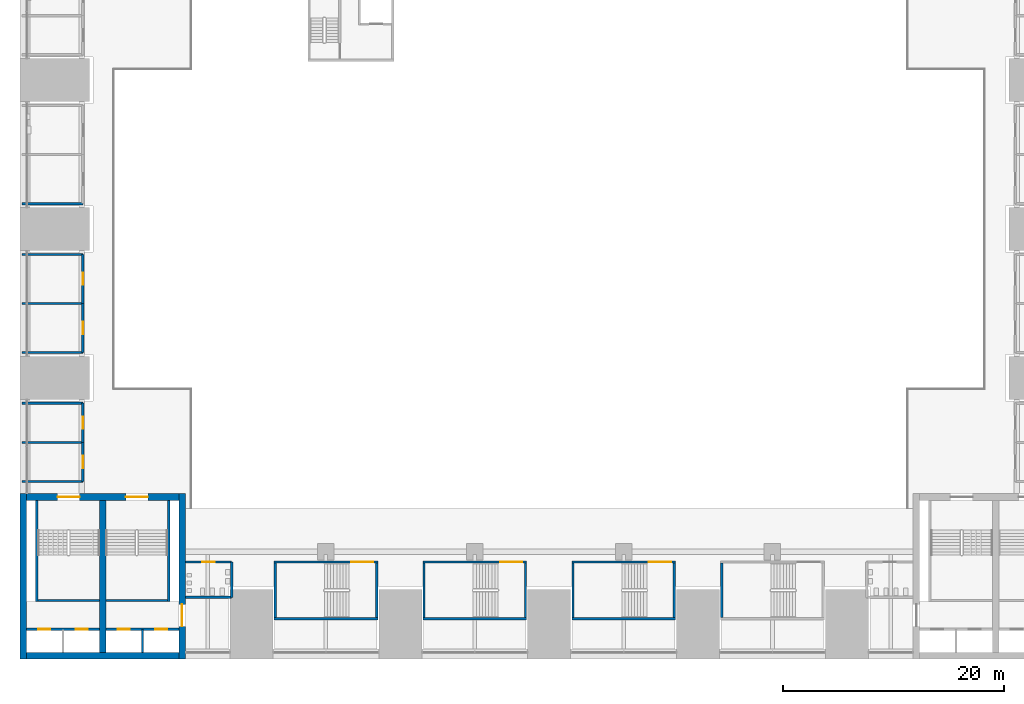
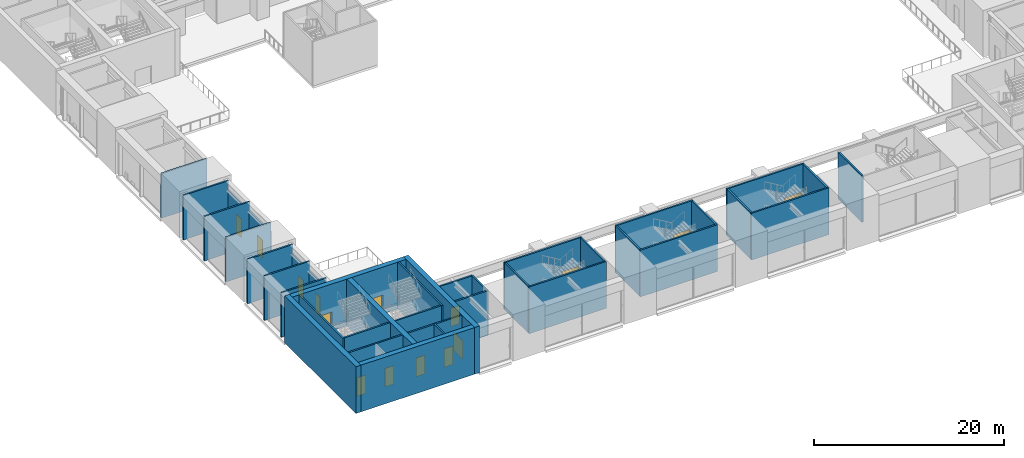
# One storey, part 13 of 41: 39 walls, 15 doors, 15 openings.
"""IFC4 building model written with IfcOpenShell, lengths in metres."""

from ifc_helpers import new_model, si_unit, direction, frame, frame_2d, origin, place, context, subcontext, project, spatial, rectangle, extrude, material, layer, layer_set, type_object, element, fill, save


model = new_model("IFC4")

# Units and contexts
model_context = context("Model", 3, precision=1e-05, world=origin(), true_north=direction((0.0, 1.0)))
body_context = subcontext(model_context, "Body", "Model", "MODEL_VIEW")
ifc_project = project(units=[si_unit("LENGTHUNIT", "METRE"), si_unit("AREAUNIT", "SQUARE_METRE"), si_unit("VOLUMEUNIT", "CUBIC_METRE"), si_unit("PLANEANGLEUNIT", "RADIAN"), si_unit("MASSUNIT", "GRAM", prefix="KILO")], contexts=[model_context])

# Site, building, storey
site_placement = place(None, origin())
site = spatial("IfcSite", under=ifc_project, at=site_placement, CompositionType="ELEMENT")
building_placement = place(site_placement, origin())
building = spatial("IfcBuilding", under=site, at=building_placement, Name="Corbelhall Arena Tower", CompositionType="ELEMENT")
storey_placement = place(building_placement, frame((0.0, 0.0, 19.0)))
storey = spatial("IfcBuildingStorey", under=building, at=storey_placement, Name="L02", CompositionType="ELEMENT", Elevation=19.0)

# Walls
ifc_material_1 = material(Name="Gypsum board on steel studs", Category="steel")
ifc_layer_1 = layer(ifc_material_1, 0.199951171875)
ifc_layer_set_1 = layer_set([ifc_layer_1], Name="AR-ROOM-WALL")
wall_type_1 = type_object("IfcWallType", Name="AR-ROOM-WALL", PredefinedType="PARTITIONING", material=ifc_layer_set_1)
for number, where, z_axis, x_axis, name in (
    (1, (-42.300048828125, 2.300048828125, 0.0), (0.0, 0.0, 1.0), (-1.0, 0.0, 0.0), "Concession bar 7 end wall"),
    (2, (-42.300048828125, -11.199951171875, 0.0), (0.0, 0.0, 1.0), (-1.0, 0.0, 0.0), "Concession bar 8 end wall"),
    (3, (-47.800048828125, -6.75, 0.0), (0.0, 0.0, 1.0), (1.0, 0.0, 0.0), "Concession bar 8 partition"),
    (4, (-42.300048828125, -2.300048828125, 0.0), (0.0, 0.0, 1.0), (-1.0, 0.0, 0.0), "Concession bar 9 end wall"),
    (5, (-42.300048828125, -22.89990234375, 0.0), (0.0, 0.0, 1.0), (-1.0, 0.0, 0.0), "Concession bar 11 end wall"),
    (6, (-47.800048828125, -19.35009765625, 0.0), (0.0, 0.0, 1.0), (1.0, 0.0, 0.0), "Concession bar 11 partition"),
    (7, (-42.300048828125, -15.800048828125, 0.0), (0.0, 0.0, 1.0), (-1.0, 0.0, 0.0), "Concession bar 12 end wall"),
):
    element("IfcWall", number, at=place(storey_placement, frame(where, z_axis=z_axis, x_axis=x_axis)), inside=storey, type_object=wall_type_1, Name=name, PredefinedType="PARTITIONING", context=body_context, shape_type="SweptSolid", body=[
        extrude(rectangle(XDim=5.5, YDim=0.199951171875, at=frame_2d((2.75, 0.0))), origin(), (0.0, 0.0, 1.0), 5.699951171875),
    ])

# Wall, opening, door
wall_1_placement = place(storey_placement, frame((-33.0, -30.199951171875, 0.0), z_axis=(0.0, 0.0, 1.0), x_axis=(1.0, 0.0, 0.0)))
wall_1 = element("IfcWall", 8, at=wall_1_placement, inside=storey, type_object=wall_type_1, Name="Men's WC 4 wall", PredefinedType="PARTITIONING", context=body_context, shape_type="SweptSolid", body=[
    extrude(rectangle(XDim=4.199951171875, YDim=0.199951171875, at=frame_2d((2.10009765625, 0.0))), origin(), (0.0, 0.0, 1.0), 5.699951171875),
])
opening_1_placement = place(wall_1_placement, frame((1.550048828125, 0.0, 0.0)))
opening_1 = element("IfcOpeningElement", 9, at=opening_1_placement, cuts=wall_1, Name="Opening DA0382", PredefinedType="OPENING", context=body_context, shape_type="SweptSolid", body=[
    extrude(rectangle(XDim=1.10009765625, YDim=2.39990234375, at=frame_2d((0.550048828125, 1.199951171875))), frame((0.0, 0.10009765625, 0.0), z_axis=(0.0, -1.0, 0.0), x_axis=(1.0, 0.0, 0.0)), (0.0, 0.0, 1.0), 0.199951171875),
])
ifc_material_2 = material(Name="Timber", Category="wood")
door_type_1 = type_object("IfcDoorType", Name="AR-ROOM-DOOR", OperationType="DOUBLE_DOOR_SINGLE_SWING", PredefinedType="DOOR", material=ifc_material_2)
door_1_placement = place(opening_1_placement, origin())
door_1 = element("IfcDoor", 10, at=door_1_placement, inside=storey, type_object=door_type_1, Name="Men's WC 4 door", OperationType="DOUBLE_DOOR_SINGLE_SWING", OverallHeight=2.39990234375, OverallWidth=1.10009765625, PredefinedType="DOOR", context=body_context, shape_type="SweptSolid", body=[
    extrude(rectangle(XDim=1.10009765625, YDim=2.39990234375, at=frame_2d((0.550048828125, 1.199951171875))), frame((0.0, 0.02490234375, 0.0), z_axis=(0.0, -1.0, 0.0), x_axis=(1.0, 0.0, 0.0)), (0.0, 0.0, 1.0), 0.050048828125),
])
fill(opening_1, door_1)

# Walls
wall_2_placement = place(storey_placement, frame((-28.800048828125, -33.39990234375, 0.0), z_axis=(0.0, 0.0, 1.0), x_axis=(0.0, 1.0, 0.0)))
element("IfcWall", 11, at=wall_2_placement, inside=storey, type_object=wall_type_1, Name="Men's WC 4 side wall", PredefinedType="PARTITIONING", context=body_context, shape_type="SweptSolid", body=[
    extrude(rectangle(XDim=3.199951171875, YDim=0.199951171875, at=frame_2d((1.60009765625, 0.0))), origin(), (0.0, 0.0, 1.0), 5.699951171875),
])
wall_3_placement = place(storey_placement, frame((-33.0, -33.39990234375, 0.0), z_axis=(0.0, 0.0, 1.0), x_axis=(1.0, 0.0, 0.0)))
element("IfcWall", 12, at=wall_3_placement, inside=storey, type_object=wall_type_1, Name="Men's WC 4 far wall", PredefinedType="PARTITIONING", context=body_context, shape_type="SweptSolid", body=[
    extrude(rectangle(XDim=4.199951171875, YDim=0.199951171875, at=frame_2d((2.10009765625, 0.0))), origin(), (0.0, 0.0, 1.0), 5.699951171875),
])

# Wall, opening, door
ifc_layer_2 = layer(ifc_material_1, 0.199951171875)
ifc_layer_set_2 = layer_set([ifc_layer_2], Name="AR-ROOM-WALL under beam 1200 mm")
wall_type_2 = type_object("IfcWallType", Name="AR-ROOM-WALL under beam 1200 mm", PredefinedType="PARTITIONING", material=ifc_layer_set_2)
wall_4_placement = place(storey_placement, frame((-42.300048828125, -11.199951171875, 0.0), z_axis=(0.0, 0.0, 1.0), x_axis=(0.0, 1.0, 0.0)))
wall_4 = element("IfcWall", 13, at=wall_4_placement, inside=storey, type_object=wall_type_2, Name="Concession bar 8 wall", PredefinedType="PARTITIONING", context=body_context, shape_type="SweptSolid", body=[
    extrude(rectangle(XDim=4.449951171875, YDim=0.199951171875, at=frame_2d((2.22509765625, 0.0))), origin(), (0.0, 0.0, 1.0), 4.5),
])
opening_2_placement = place(wall_4_placement, frame((1.675048828125, 0.0, 0.0)))
opening_2 = element("IfcOpeningElement", 14, at=opening_2_placement, cuts=wall_4, Name="Opening DA0373", PredefinedType="OPENING", context=body_context, shape_type="SweptSolid", body=[
    extrude(rectangle(XDim=1.10009765625, YDim=2.39990234375, at=frame_2d((0.550048828125, 1.199951171875))), frame((0.0, 0.10009765625, 0.0), z_axis=(0.0, -1.0, 0.0), x_axis=(1.0, 0.0, 0.0)), (0.0, 0.0, 1.0), 0.199951171875),
])
door_2_placement = place(opening_2_placement, origin())
door_2 = element("IfcDoor", 15, at=door_2_placement, inside=storey, type_object=door_type_1, Name="Concession bar 8 door", OperationType="DOUBLE_DOOR_SINGLE_SWING", OverallHeight=2.39990234375, OverallWidth=1.10009765625, PredefinedType="DOOR", context=body_context, shape_type="SweptSolid", body=[
    extrude(rectangle(XDim=1.10009765625, YDim=2.39990234375, at=frame_2d((0.550048828125, 1.199951171875))), frame((0.0, 0.02490234375, 0.0), z_axis=(0.0, -1.0, 0.0), x_axis=(1.0, 0.0, 0.0)), (0.0, 0.0, 1.0), 0.050048828125),
])
fill(opening_2, door_2)

wall_5_placement = place(storey_placement, frame((-42.300048828125, -6.75, 0.0), z_axis=(0.0, 0.0, 1.0), x_axis=(0.0, 1.0, 0.0)))
wall_5 = element("IfcWall", 16, at=wall_5_placement, inside=storey, type_object=wall_type_2, Name="Concession bar 9 wall", PredefinedType="PARTITIONING", context=body_context, shape_type="SweptSolid", body=[
    extrude(rectangle(XDim=4.449951171875, YDim=0.199951171875, at=frame_2d((2.22509765625, 0.0))), origin(), (0.0, 0.0, 1.0), 4.5),
])
opening_3_placement = place(wall_5_placement, frame((1.675048828125, 0.0, 0.0)))
opening_3 = element("IfcOpeningElement", 17, at=opening_3_placement, cuts=wall_5, Name="Opening DA0374", PredefinedType="OPENING", context=body_context, shape_type="SweptSolid", body=[
    extrude(rectangle(XDim=1.10009765625, YDim=2.39990234375, at=frame_2d((0.550048828125, 1.199951171875))), frame((0.0, 0.10009765625, 0.0), z_axis=(0.0, -1.0, 0.0), x_axis=(1.0, 0.0, 0.0)), (0.0, 0.0, 1.0), 0.199951171875),
])
door_3_placement = place(opening_3_placement, origin())
door_3 = element("IfcDoor", 18, at=door_3_placement, inside=storey, type_object=door_type_1, Name="Concession bar 9 door", OperationType="DOUBLE_DOOR_SINGLE_SWING", OverallHeight=2.39990234375, OverallWidth=1.10009765625, PredefinedType="DOOR", context=body_context, shape_type="SweptSolid", body=[
    extrude(rectangle(XDim=1.10009765625, YDim=2.39990234375, at=frame_2d((0.550048828125, 1.199951171875))), frame((0.0, 0.02490234375, 0.0), z_axis=(0.0, -1.0, 0.0), x_axis=(1.0, 0.0, 0.0)), (0.0, 0.0, 1.0), 0.050048828125),
])
fill(opening_3, door_3)

wall_6_placement = place(storey_placement, frame((-42.300048828125, -22.89990234375, 0.0), z_axis=(0.0, 0.0, 1.0), x_axis=(0.0, 1.0, 0.0)))
wall_6 = element("IfcWall", 19, at=wall_6_placement, inside=storey, type_object=wall_type_2, Name="Concession bar 11 wall", PredefinedType="PARTITIONING", context=body_context, shape_type="SweptSolid", body=[
    extrude(rectangle(XDim=3.5498046875, YDim=0.199951171875, at=frame_2d((1.77490234375, 0.0))), origin(), (0.0, 0.0, 1.0), 4.5),
])
opening_4_placement = place(wall_6_placement, frame((1.22509765625, 0.0, 0.0)))
opening_4 = element("IfcOpeningElement", 20, at=opening_4_placement, cuts=wall_6, Name="Opening DA0377", PredefinedType="OPENING", context=body_context, shape_type="SweptSolid", body=[
    extrude(rectangle(XDim=1.10009765625, YDim=2.39990234375, at=frame_2d((0.550048828125, 1.199951171875))), frame((0.0, 0.10009765625, 0.0), z_axis=(0.0, -1.0, 0.0), x_axis=(1.0, 0.0, 0.0)), (0.0, 0.0, 1.0), 0.199951171875),
])
door_4_placement = place(opening_4_placement, origin())
door_4 = element("IfcDoor", 21, at=door_4_placement, inside=storey, type_object=door_type_1, Name="Concession bar 11 door", OperationType="DOUBLE_DOOR_SINGLE_SWING", OverallHeight=2.39990234375, OverallWidth=1.10009765625, PredefinedType="DOOR", context=body_context, shape_type="SweptSolid", body=[
    extrude(rectangle(XDim=1.10009765625, YDim=2.39990234375, at=frame_2d((0.550048828125, 1.199951171875))), frame((0.0, 0.02490234375, 0.0), z_axis=(0.0, -1.0, 0.0), x_axis=(1.0, 0.0, 0.0)), (0.0, 0.0, 1.0), 0.050048828125),
])
fill(opening_4, door_4)

wall_7_placement = place(storey_placement, frame((-42.300048828125, -19.35009765625, 0.0), z_axis=(0.0, 0.0, 1.0), x_axis=(0.0, 1.0, 0.0)))
wall_7 = element("IfcWall", 22, at=wall_7_placement, inside=storey, type_object=wall_type_2, Name="Concession bar 12 wall", PredefinedType="PARTITIONING", context=body_context, shape_type="SweptSolid", body=[
    extrude(rectangle(XDim=3.550048828125, YDim=0.199951171875, at=frame_2d((1.77490234375, 0.0))), origin(), (0.0, 0.0, 1.0), 4.5),
])
opening_5_placement = place(wall_7_placement, frame((1.22509765625, 0.0, 0.0)))
opening_5 = element("IfcOpeningElement", 23, at=opening_5_placement, cuts=wall_7, Name="Opening DA0378", PredefinedType="OPENING", context=body_context, shape_type="SweptSolid", body=[
    extrude(rectangle(XDim=1.10009765625, YDim=2.39990234375, at=frame_2d((0.550048828125, 1.199951171875))), frame((0.0, 0.10009765625, 0.0), z_axis=(0.0, -1.0, 0.0), x_axis=(1.0, 0.0, 0.0)), (0.0, 0.0, 1.0), 0.199951171875),
])
door_5_placement = place(opening_5_placement, origin())
door_5 = element("IfcDoor", 24, at=door_5_placement, inside=storey, type_object=door_type_1, Name="Concession bar 12 door", OperationType="DOUBLE_DOOR_SINGLE_SWING", OverallHeight=2.39990234375, OverallWidth=1.10009765625, PredefinedType="DOOR", context=body_context, shape_type="SweptSolid", body=[
    extrude(rectangle(XDim=1.10009765625, YDim=2.39990234375, at=frame_2d((0.550048828125, 1.199951171875))), frame((0.0, 0.02490234375, 0.0), z_axis=(0.0, -1.0, 0.0), x_axis=(1.0, 0.0, 0.0)), (0.0, 0.0, 1.0), 0.050048828125),
])
fill(opening_5, door_5)

# Wall, openings, doors
ifc_material_3 = material(Name="Reinforced concrete C40/50", Category="concrete")
ifc_layer_3 = layer(ifc_material_3, 0.199951171875)
ifc_layer_set_3 = layer_set([ifc_layer_3], Name="AR-SHAFT-WALL")
wall_type_3 = type_object("IfcWallType", Name="AR-SHAFT-WALL", PredefinedType="SHEAR", material=ifc_layer_set_3)
wall_8_placement = place(storey_placement, frame((-47.39990234375, -36.300048828125, 0.0), z_axis=(0.0, 0.0, 1.0), x_axis=(1.0, 0.0, 0.0)))
wall_8 = element("IfcWall", 25, at=wall_8_placement, inside=storey, type_object=wall_type_3, Name="Lift lobby wall SW", PredefinedType="SHEAR", context=body_context, shape_type="SweptSolid", body=[
    extrude(rectangle(XDim=6.599853515625, YDim=0.199951171875, at=frame_2d((3.2998046875, 0.0))), origin(), (0.0, 0.0, 1.0), 6.0),
])
opening_6_placement = place(wall_8_placement, frame((1.050048828125, 0.0, 0.0)))
opening_6 = element("IfcOpeningElement", 26, at=opening_6_placement, cuts=wall_8, Name="Opening LD0259", PredefinedType="OPENING", context=body_context, shape_type="SweptSolid", body=[
    extrude(rectangle(XDim=1.10009765625, YDim=2.39990234375, at=frame_2d((0.550048828125, 1.199951171875))), frame((0.0, 0.10009765625, 0.0), z_axis=(0.0, -1.0, 0.0), x_axis=(1.0, 0.0, 0.0)), (0.0, 0.0, 1.0), 0.199951171875),
])
opening_7_placement = place(wall_8_placement, frame((4.449951171875, 0.0, 0.0)))
opening_7 = element("IfcOpeningElement", 27, at=opening_7_placement, cuts=wall_8, Name="Opening LD0260", PredefinedType="OPENING", context=body_context, shape_type="SweptSolid", body=[
    extrude(rectangle(XDim=1.10009765625, YDim=2.39990234375, at=frame_2d((0.550048828125, 1.199951171875))), frame((0.0, 0.10009765625, 0.0), z_axis=(0.0, -1.0, 0.0), x_axis=(1.0, 0.0, 0.0)), (0.0, 0.0, 1.0), 0.199951171875),
])
ifc_material_4 = material(Name="Stainless steel A4", Category="steel")
door_type_2 = type_object("IfcDoorType", Name="AR-LANDING-DOOR", OperationType="DOUBLE_DOOR_SLIDING", PredefinedType="DOOR", material=ifc_material_4)
door_6_placement = place(opening_6_placement, frame((1.10009765625, 0.0, 0.0), z_axis=(0.0, 0.0, 1.0), x_axis=(-1.0, 0.0, 0.0)))
door_6 = element("IfcDoor", 28, at=door_6_placement, inside=storey, type_object=door_type_2, Name="Landing door SW LF3 L02", OperationType="DOUBLE_DOOR_SLIDING", OverallHeight=2.39990234375, OverallWidth=1.10009765625, PredefinedType="DOOR", context=body_context, shape_type="SweptSolid", body=[
    extrude(rectangle(XDim=1.10009765625, YDim=2.39990234375, at=frame_2d((0.550048828125, 1.199951171875))), frame((0.0, 0.02490234375, 0.0), z_axis=(0.0, -1.0, 0.0), x_axis=(1.0, 0.0, 0.0)), (0.0, 0.0, 1.0), 0.050048828125),
])
fill(opening_6, door_6)
door_7_placement = place(opening_7_placement, frame((1.10009765625, 0.0, 0.0), z_axis=(0.0, 0.0, 1.0), x_axis=(-1.0, 0.0, 0.0)))
door_7 = element("IfcDoor", 29, at=door_7_placement, inside=storey, type_object=door_type_2, Name="Landing door SW LF4 L02", OperationType="DOUBLE_DOOR_SLIDING", OverallHeight=2.39990234375, OverallWidth=1.10009765625, PredefinedType="DOOR", context=body_context, shape_type="SweptSolid", body=[
    extrude(rectangle(XDim=1.10009765625, YDim=2.39990234375, at=frame_2d((0.550048828125, 1.199951171875))), frame((0.0, 0.02490234375, 0.0), z_axis=(0.0, -1.0, 0.0), x_axis=(1.0, 0.0, 0.0)), (0.0, 0.0, 1.0), 0.050048828125),
])
fill(opening_7, door_7)

wall_9_placement = place(storey_placement, frame((-40.199951171875, -36.300048828125, 0.0), z_axis=(0.0, 0.0, 1.0), x_axis=(1.0, 0.0, 0.0)))
wall_9 = element("IfcWall", 30, at=wall_9_placement, inside=storey, type_object=wall_type_3, Name="Lift lobby wall SW", PredefinedType="SHEAR", context=body_context, shape_type="SweptSolid", body=[
    extrude(rectangle(XDim=6.599853515625, YDim=0.199951171875, at=frame_2d((3.2998046875, 0.0))), origin(), (0.0, 0.0, 1.0), 6.0),
])
opening_8_placement = place(wall_9_placement, frame((1.050048828125, 0.0, 0.0)))
opening_8 = element("IfcOpeningElement", 31, at=opening_8_placement, cuts=wall_9, Name="Opening LD0261", PredefinedType="OPENING", context=body_context, shape_type="SweptSolid", body=[
    extrude(rectangle(XDim=1.10009765625, YDim=2.39990234375, at=frame_2d((0.550048828125, 1.199951171875))), frame((0.0, 0.10009765625, 0.0), z_axis=(0.0, -1.0, 0.0), x_axis=(1.0, 0.0, 0.0)), (0.0, 0.0, 1.0), 0.199951171875),
])
opening_9_placement = place(wall_9_placement, frame((4.449951171875, 0.0, 0.0)))
opening_9 = element("IfcOpeningElement", 32, at=opening_9_placement, cuts=wall_9, Name="Opening LD0262", PredefinedType="OPENING", context=body_context, shape_type="SweptSolid", body=[
    extrude(rectangle(XDim=1.10009765625, YDim=2.39990234375, at=frame_2d((0.550048828125, 1.199951171875))), frame((0.0, 0.10009765625, 0.0), z_axis=(0.0, -1.0, 0.0), x_axis=(1.0, 0.0, 0.0)), (0.0, 0.0, 1.0), 0.199951171875),
])
door_8_placement = place(opening_8_placement, frame((1.10009765625, 0.0, 0.0), z_axis=(0.0, 0.0, 1.0), x_axis=(-1.0, 0.0, 0.0)))
door_8 = element("IfcDoor", 33, at=door_8_placement, inside=storey, type_object=door_type_2, Name="Landing door SW LF1 L02", OperationType="DOUBLE_DOOR_SLIDING", OverallHeight=2.39990234375, OverallWidth=1.10009765625, PredefinedType="DOOR", context=body_context, shape_type="SweptSolid", body=[
    extrude(rectangle(XDim=1.10009765625, YDim=2.39990234375, at=frame_2d((0.550048828125, 1.199951171875))), frame((0.0, 0.02490234375, 0.0), z_axis=(0.0, -1.0, 0.0), x_axis=(1.0, 0.0, 0.0)), (0.0, 0.0, 1.0), 0.050048828125),
])
fill(opening_8, door_8)
door_9_placement = place(opening_9_placement, frame((1.10009765625, 0.0, 0.0), z_axis=(0.0, 0.0, 1.0), x_axis=(-1.0, 0.0, 0.0)))
door_9 = element("IfcDoor", 34, at=door_9_placement, inside=storey, type_object=door_type_2, Name="Landing door SW LF2 L02", OperationType="DOUBLE_DOOR_SLIDING", OverallHeight=2.39990234375, OverallWidth=1.10009765625, PredefinedType="DOOR", context=body_context, shape_type="SweptSolid", body=[
    extrude(rectangle(XDim=1.10009765625, YDim=2.39990234375, at=frame_2d((0.550048828125, 1.199951171875))), frame((0.0, 0.02490234375, 0.0), z_axis=(0.0, -1.0, 0.0), x_axis=(1.0, 0.0, 0.0)), (0.0, 0.0, 1.0), 0.050048828125),
])
fill(opening_9, door_9)

# Wall
wall_10_placement = place(storey_placement, frame((-36.89990234375, -38.39990234375, 0.0), z_axis=(0.0, 0.0, 1.0), x_axis=(0.0, 1.0, 0.0)))
element("IfcWall", 35, at=wall_10_placement, inside=storey, type_object=wall_type_3, Name="Shaft wall SW", PredefinedType="SHEAR", context=body_context, shape_type="SweptSolid", body=[
    extrude(rectangle(XDim=2.099853515625, YDim=0.199951171875, at=frame_2d((1.0498046875, 0.0))), origin(), (0.0, 0.0, 1.0), 6.0),
])

# Wall, opening, door
ifc_layer_4 = layer(ifc_material_3, 0.199951171875)
ifc_layer_set_4 = layer_set([ifc_layer_4], Name="AR-STAIR-WALL")
wall_type_4 = type_object("IfcWallType", Name="AR-STAIR-WALL", PredefinedType="SOLIDWALL", material=ifc_layer_set_4)
wall_11_placement = place(storey_placement, frame((-15.550048828125, -30.199951171875, 0.0), z_axis=(0.0, 0.0, 1.0), x_axis=(-1.0, 0.0, 0.0)))
wall_11 = element("IfcWall", 36, at=wall_11_placement, inside=storey, type_object=wall_type_4, Name="Stair AS13 wall", PredefinedType="SOLIDWALL", context=body_context, shape_type="SweptSolid", body=[
    extrude(rectangle(XDim=9.39990234375, YDim=0.199951171875, at=frame_2d((4.699951171875, 0.0))), origin(), (0.0, 0.0, 1.0), 6.0),
])
opening_10_placement = place(wall_11_placement, frame((0.39990234375, 0.0, 0.0)))
opening_10 = element("IfcOpeningElement", 37, at=opening_10_placement, cuts=wall_11, Name="Opening DA0027", PredefinedType="OPENING", context=body_context, shape_type="SweptSolid", body=[
    extrude(rectangle(XDim=2.0, YDim=2.39990234375, at=frame_2d((1.0, 1.199951171875))), frame((0.0, 0.10009765625, 0.0), z_axis=(0.0, -1.0, 0.0), x_axis=(1.0, 0.0, 0.0)), (0.0, 0.0, 1.0), 0.199951171875),
])
ifc_material_5 = material(Name="Steel and glass", Category="steel")
door_type_3 = type_object("IfcDoorType", Name="AR-STAIR-DOOR", OperationType="DOUBLE_DOOR_SINGLE_SWING", PredefinedType="DOOR", material=ifc_material_5)
door_10_placement = place(opening_10_placement, origin())
door_10 = element("IfcDoor", 38, at=door_10_placement, inside=storey, type_object=door_type_3, Name="Stair AS13 door", OperationType="DOUBLE_DOOR_SINGLE_SWING", OverallHeight=2.39990234375, OverallWidth=2.0, PredefinedType="DOOR", context=body_context, shape_type="SweptSolid", body=[
    extrude(rectangle(XDim=2.0, YDim=2.39990234375, at=frame_2d((1.0, 1.199951171875))), frame((0.0, 0.02490234375, 0.0), z_axis=(0.0, -1.0, 0.0), x_axis=(1.0, 0.0, 0.0)), (0.0, 0.0, 1.0), 0.050048828125),
])
fill(opening_10, door_10)

# Walls
wall_12_placement = place(storey_placement, frame((-24.949951171875, -35.35009765625, 0.0), z_axis=(0.0, 0.0, 1.0), x_axis=(1.0, 0.0, 0.0)))
element("IfcWall", 39, at=wall_12_placement, inside=storey, type_object=wall_type_4, Name="Stair AS13 wall", PredefinedType="SOLIDWALL", context=body_context, shape_type="SweptSolid", body=[
    extrude(rectangle(XDim=9.39990234375, YDim=0.199951171875, at=frame_2d((4.699951171875, 0.0))), origin(), (0.0, 0.0, 1.0), 6.0),
])
for number, where, z_axis, x_axis, name in (
    (40, (-24.85009765625, -35.25, 0.0), (0.0, 0.0, 1.0), (0.0, 1.0, 0.0), "Stair AS13 wall"),
    (41, (-15.64990234375, -35.25, 0.0), (0.0, 0.0, 1.0), (0.0, 1.0, 0.0), "Stair AS13 wall"),
):
    element("IfcWall", number, at=place(storey_placement, frame(where, z_axis=z_axis, x_axis=x_axis)), inside=storey, type_object=wall_type_4, Name=name, PredefinedType="SOLIDWALL", context=body_context, shape_type="SweptSolid", body=[
        extrude(rectangle(XDim=4.949951171875, YDim=0.199951171875, at=frame_2d((2.47509765625, 0.0))), origin(), (0.0, 0.0, 1.0), 6.0),
    ])

# Wall, opening, door
wall_13_placement = place(storey_placement, frame((-2.050048828125, -30.199951171875, 0.0), z_axis=(0.0, 0.0, 1.0), x_axis=(-1.0, 0.0, 0.0)))
wall_13 = element("IfcWall", 42, at=wall_13_placement, inside=storey, type_object=wall_type_4, Name="Stair AS14 wall", PredefinedType="SOLIDWALL", context=body_context, shape_type="SweptSolid", body=[
    extrude(rectangle(XDim=9.39990234375, YDim=0.199951171875, at=frame_2d((4.699951171875, 0.0))), origin(), (0.0, 0.0, 1.0), 6.0),
])
opening_11_placement = place(wall_13_placement, frame((0.39990234375, 0.0, 0.0)))
opening_11 = element("IfcOpeningElement", 43, at=opening_11_placement, cuts=wall_13, Name="Opening DA0033", PredefinedType="OPENING", context=body_context, shape_type="SweptSolid", body=[
    extrude(rectangle(XDim=2.0, YDim=2.39990234375, at=frame_2d((1.0, 1.199951171875))), frame((0.0, 0.10009765625, 0.0), z_axis=(0.0, -1.0, 0.0), x_axis=(1.0, 0.0, 0.0)), (0.0, 0.0, 1.0), 0.199951171875),
])
door_11_placement = place(opening_11_placement, origin())
door_11 = element("IfcDoor", 44, at=door_11_placement, inside=storey, type_object=door_type_3, Name="Stair AS14 door", OperationType="DOUBLE_DOOR_SINGLE_SWING", OverallHeight=2.39990234375, OverallWidth=2.0, PredefinedType="DOOR", context=body_context, shape_type="SweptSolid", body=[
    extrude(rectangle(XDim=2.0, YDim=2.39990234375, at=frame_2d((1.0, 1.199951171875))), frame((0.0, 0.02490234375, 0.0), z_axis=(0.0, -1.0, 0.0), x_axis=(1.0, 0.0, 0.0)), (0.0, 0.0, 1.0), 0.050048828125),
])
fill(opening_11, door_11)

# Walls
wall_14_placement = place(storey_placement, frame((-11.449951171875, -35.35009765625, 0.0), z_axis=(0.0, 0.0, 1.0), x_axis=(1.0, 0.0, 0.0)))
element("IfcWall", 45, at=wall_14_placement, inside=storey, type_object=wall_type_4, Name="Stair AS14 wall", PredefinedType="SOLIDWALL", context=body_context, shape_type="SweptSolid", body=[
    extrude(rectangle(XDim=9.39990234375, YDim=0.199951171875, at=frame_2d((4.699951171875, 0.0))), origin(), (0.0, 0.0, 1.0), 6.0),
])
for number, where, z_axis, x_axis, name in (
    (46, (-11.35009765625, -35.25, 0.0), (0.0, 0.0, 1.0), (0.0, 1.0, 0.0), "Stair AS14 wall"),
    (47, (-2.14990234375, -35.25, 0.0), (0.0, 0.0, 1.0), (0.0, 1.0, 0.0), "Stair AS14 wall"),
):
    element("IfcWall", number, at=place(storey_placement, frame(where, z_axis=z_axis, x_axis=x_axis)), inside=storey, type_object=wall_type_4, Name=name, PredefinedType="SOLIDWALL", context=body_context, shape_type="SweptSolid", body=[
        extrude(rectangle(XDim=4.949951171875, YDim=0.199951171875, at=frame_2d((2.47509765625, 0.0))), origin(), (0.0, 0.0, 1.0), 6.0),
    ])

# Wall, opening, door
wall_15_placement = place(storey_placement, frame((11.449951171875, -30.199951171875, 0.0), z_axis=(0.0, 0.0, 1.0), x_axis=(-1.0, 0.0, 0.0)))
wall_15 = element("IfcWall", 48, at=wall_15_placement, inside=storey, type_object=wall_type_4, Name="Stair AS15 wall", PredefinedType="SOLIDWALL", context=body_context, shape_type="SweptSolid", body=[
    extrude(rectangle(XDim=9.39990234375, YDim=0.199951171875, at=frame_2d((4.699951171875, 0.0))), origin(), (0.0, 0.0, 1.0), 6.0),
])
opening_12_placement = place(wall_15_placement, frame((0.39990234375, 0.0, 0.0)))
opening_12 = element("IfcOpeningElement", 49, at=opening_12_placement, cuts=wall_15, Name="Opening DA0039", PredefinedType="OPENING", context=body_context, shape_type="SweptSolid", body=[
    extrude(rectangle(XDim=2.0, YDim=2.39990234375, at=frame_2d((1.0, 1.199951171875))), frame((0.0, 0.10009765625, 0.0), z_axis=(0.0, -1.0, 0.0), x_axis=(1.0, 0.0, 0.0)), (0.0, 0.0, 1.0), 0.199951171875),
])
door_12_placement = place(opening_12_placement, origin())
door_12 = element("IfcDoor", 50, at=door_12_placement, inside=storey, type_object=door_type_3, Name="Stair AS15 door", OperationType="DOUBLE_DOOR_SINGLE_SWING", OverallHeight=2.39990234375, OverallWidth=2.0, PredefinedType="DOOR", context=body_context, shape_type="SweptSolid", body=[
    extrude(rectangle(XDim=2.0, YDim=2.39990234375, at=frame_2d((1.0, 1.199951171875))), frame((0.0, 0.02490234375, 0.0), z_axis=(0.0, -1.0, 0.0), x_axis=(1.0, 0.0, 0.0)), (0.0, 0.0, 1.0), 0.050048828125),
])
fill(opening_12, door_12)

# Walls
wall_16_placement = place(storey_placement, frame((2.050048828125, -35.35009765625, 0.0), z_axis=(0.0, 0.0, 1.0), x_axis=(1.0, 0.0, 0.0)))
element("IfcWall", 51, at=wall_16_placement, inside=storey, type_object=wall_type_4, Name="Stair AS15 wall", PredefinedType="SOLIDWALL", context=body_context, shape_type="SweptSolid", body=[
    extrude(rectangle(XDim=9.39990234375, YDim=0.199951171875, at=frame_2d((4.699951171875, 0.0))), origin(), (0.0, 0.0, 1.0), 6.0),
])
for number, where, z_axis, x_axis, name in (
    (52, (2.14990234375, -35.25, 0.0), (0.0, 0.0, 1.0), (0.0, 1.0, 0.0), "Stair AS15 wall"),
    (53, (11.35009765625, -35.25, 0.0), (0.0, 0.0, 1.0), (0.0, 1.0, 0.0), "Stair AS15 wall"),
    (54, (15.64990234375, -35.25, 0.0), (0.0, 0.0, 1.0), (0.0, 1.0, 0.0), "Stair AS16 wall"),
):
    element("IfcWall", number, at=place(storey_placement, frame(where, z_axis=z_axis, x_axis=x_axis)), inside=storey, type_object=wall_type_4, Name=name, PredefinedType="SOLIDWALL", context=body_context, shape_type="SweptSolid", body=[
        extrude(rectangle(XDim=4.949951171875, YDim=0.199951171875, at=frame_2d((2.47509765625, 0.0))), origin(), (0.0, 0.0, 1.0), 6.0),
    ])
wall_17_placement = place(storey_placement, frame((-34.510009765625, -33.800048828125, 0.0), z_axis=(0.0, 0.0, 1.0), x_axis=(0.0, 1.0, 0.0)))
element("IfcWall", 55, at=wall_17_placement, inside=storey, type_object=wall_type_4, Name="Stair AS7 wall", PredefinedType="SOLIDWALL", context=body_context, shape_type="SweptSolid", body=[
    extrude(rectangle(XDim=9.199951171875, YDim=0.199951171875, at=frame_2d((4.60009765625, 0.0))), origin(), (0.0, 0.0, 1.0), 6.0),
])
wall_18_placement = place(storey_placement, frame((-40.199951171875, -33.699951171875, 0.0), z_axis=(0.0, 0.0, 1.0), x_axis=(1.0, 0.0, 0.0)))
element("IfcWall", 56, at=wall_18_placement, inside=storey, type_object=wall_type_4, Name="Stair AS7 wall", PredefinedType="SOLIDWALL", context=body_context, shape_type="SweptSolid", body=[
    extrude(rectangle(XDim=5.58984375, YDim=0.199951171875, at=frame_2d((2.794921875, 0.0))), origin(), (0.0, 0.0, 1.0), 6.0),
])
wall_19_placement = place(storey_placement, frame((-46.489990234375, -33.800048828125, 0.0), z_axis=(0.0, 0.0, 1.0), x_axis=(0.0, 1.0, 0.0)))
element("IfcWall", 57, at=wall_19_placement, inside=storey, type_object=wall_type_4, Name="Stair AS8 wall", PredefinedType="SOLIDWALL", context=body_context, shape_type="SweptSolid", body=[
    extrude(rectangle(XDim=9.199951171875, YDim=0.199951171875, at=frame_2d((4.60009765625, 0.0))), origin(), (0.0, 0.0, 1.0), 6.0),
])
wall_20_placement = place(storey_placement, frame((-46.389892578125, -33.699951171875, 0.0), z_axis=(0.0, 0.0, 1.0), x_axis=(1.0, 0.0, 0.0)))
element("IfcWall", 58, at=wall_20_placement, inside=storey, type_object=wall_type_4, Name="Stair AS8 wall", PredefinedType="SOLIDWALL", context=body_context, shape_type="SweptSolid", body=[
    extrude(rectangle(XDim=5.58984375, YDim=0.199951171875, at=frame_2d((2.794921875, 0.0))), origin(), (0.0, 0.0, 1.0), 6.0),
])

# Wall, openings, doors
ifc_material_6 = material(Name="Concrete C80/95", Category="concrete")
ifc_layer_5 = layer(ifc_material_6, 0.60009765625)
ifc_layer_set_5 = layer_set([ifc_layer_5], Name="PO-CORE-WALL")
wall_type_5 = type_object("IfcWallType", Name="PO-CORE-WALL", PredefinedType="SHEAR", material=ifc_layer_set_5)
wall_21_placement = place(storey_placement, frame((-47.39990234375, -24.300048828125, 0.0), z_axis=(0.0, 0.0, 1.0), x_axis=(1.0, 0.0, 0.0)))
wall_21 = element("IfcWall", 59, at=wall_21_placement, inside=storey, type_object=wall_type_5, Name="CORE SW WALL N L02", PredefinedType="SHEAR", context=body_context, shape_type="SweptSolid", body=[
    extrude(rectangle(XDim=13.7998046875, YDim=0.60009765625, at=frame_2d((6.89990234375, 0.0))), origin(), (0.0, 0.0, 1.0), 6.0),
])
opening_13_placement = place(wall_21_placement, frame((8.9951171875, 0.0, 0.0)))
opening_13 = element("IfcOpeningElement", 60, at=opening_13_placement, cuts=wall_21, Name="Opening DA0103", PredefinedType="OPENING", context=body_context, shape_type="SweptSolid", body=[
    extrude(rectangle(XDim=2.0, YDim=2.39990234375, at=frame_2d((1.0, 1.199951171875))), frame((0.0, 0.300048828125, 0.0), z_axis=(0.0, -1.0, 0.0), x_axis=(1.0, 0.0, 0.0)), (0.0, 0.0, 1.0), 0.60009765625),
])
opening_14_placement = place(wall_21_placement, frame((2.804931640625, 0.0, 0.0)))
opening_14 = element("IfcOpeningElement", 61, at=opening_14_placement, cuts=wall_21, Name="Opening DA0111", PredefinedType="OPENING", context=body_context, shape_type="SweptSolid", body=[
    extrude(rectangle(XDim=2.0, YDim=2.39990234375, at=frame_2d((1.0, 1.199951171875))), frame((0.0, 0.300048828125, 0.0), z_axis=(0.0, -1.0, 0.0), x_axis=(1.0, 0.0, 0.0)), (0.0, 0.0, 1.0), 0.60009765625),
])
door_13_placement = place(opening_13_placement, frame((2.0, 0.0, 0.0), z_axis=(0.0, 0.0, 1.0), x_axis=(-1.0, 0.0, 0.0)))
door_13 = element("IfcDoor", 62, at=door_13_placement, inside=storey, type_object=door_type_3, Name="Stair AS7 door", OperationType="DOUBLE_DOOR_SINGLE_SWING", OverallHeight=2.39990234375, OverallWidth=2.0, PredefinedType="DOOR", context=body_context, shape_type="SweptSolid", body=[
    extrude(rectangle(XDim=2.0, YDim=2.39990234375, at=frame_2d((1.0, 1.199951171875))), frame((0.0, 0.02490234375, 0.0), z_axis=(0.0, -1.0, 0.0), x_axis=(1.0, 0.0, 0.0)), (0.0, 0.0, 1.0), 0.050048828125),
])
fill(opening_13, door_13)
door_14_placement = place(opening_14_placement, frame((2.0, 0.0, 0.0), z_axis=(0.0, 0.0, 1.0), x_axis=(-1.0, 0.0, 0.0)))
door_14 = element("IfcDoor", 63, at=door_14_placement, inside=storey, type_object=door_type_3, Name="Stair AS8 door", OperationType="DOUBLE_DOOR_SINGLE_SWING", OverallHeight=2.39990234375, OverallWidth=2.0, PredefinedType="DOOR", context=body_context, shape_type="SweptSolid", body=[
    extrude(rectangle(XDim=2.0, YDim=2.39990234375, at=frame_2d((1.0, 1.199951171875))), frame((0.0, 0.02490234375, 0.0), z_axis=(0.0, -1.0, 0.0), x_axis=(1.0, 0.0, 0.0)), (0.0, 0.0, 1.0), 0.050048828125),
])
fill(opening_14, door_14)

# Walls
wall_22_placement = place(storey_placement, frame((-47.39990234375, -38.699951171875, 0.0), z_axis=(0.0, 0.0, 1.0), x_axis=(1.0, 0.0, 0.0)))
element("IfcWall", 64, at=wall_22_placement, inside=storey, type_object=wall_type_5, Name="CORE SW WALL S L02", PredefinedType="SHEAR", context=body_context, shape_type="SweptSolid", body=[
    extrude(rectangle(XDim=13.7998046875, YDim=0.60009765625, at=frame_2d((6.89990234375, 0.0))), origin(), (0.0, 0.0, 1.0), 6.0),
])
wall_23_placement = place(storey_placement, frame((-47.699951171875, -39.0, 0.0), z_axis=(0.0, 0.0, 1.0), x_axis=(0.0, 1.0, 0.0)))
element("IfcWall", 65, at=wall_23_placement, inside=storey, type_object=wall_type_5, Name="CORE SW WALL W L02", PredefinedType="SHEAR", context=body_context, shape_type="SweptSolid", body=[
    extrude(rectangle(XDim=15.0, YDim=0.60009765625, at=frame_2d((7.5, 0.0))), origin(), (0.0, 0.0, 1.0), 6.0),
])

# Wall, opening, door
wall_24_placement = place(storey_placement, frame((-33.300048828125, -39.0, 0.0), z_axis=(0.0, 0.0, 1.0), x_axis=(0.0, 1.0, 0.0)))
wall_24 = element("IfcWall", 66, at=wall_24_placement, inside=storey, type_object=wall_type_5, Name="CORE SW WALL E L02", PredefinedType="SHEAR", context=body_context, shape_type="SweptSolid", body=[
    extrude(rectangle(XDim=15.0, YDim=0.60009765625, at=frame_2d((7.5, 0.0))), origin(), (0.0, 0.0, 1.0), 6.0),
])
opening_15_placement = place(wall_24_placement, frame((2.949951171875, 0.0, 0.0)))
opening_15 = element("IfcOpeningElement", 67, at=opening_15_placement, cuts=wall_24, Name="Opening DA0263", PredefinedType="OPENING", context=body_context, shape_type="SweptSolid", body=[
    extrude(rectangle(XDim=2.0, YDim=2.39990234375, at=frame_2d((1.0, 1.199951171875))), frame((0.0, 0.300048828125, 0.0), z_axis=(0.0, -1.0, 0.0), x_axis=(1.0, 0.0, 0.0)), (0.0, 0.0, 1.0), 0.60009765625),
])
door_type_4 = type_object("IfcDoorType", Name="AR-CORE-DOOR", OperationType="DOUBLE_DOOR_SINGLE_SWING", PredefinedType="DOOR", material=ifc_material_5)
door_15_placement = place(opening_15_placement, origin())
door_15 = element("IfcDoor", 68, at=door_15_placement, inside=storey, type_object=door_type_4, Name="Core lobby door SW L02", OperationType="DOUBLE_DOOR_SINGLE_SWING", OverallHeight=2.39990234375, OverallWidth=2.0, PredefinedType="DOOR", context=body_context, shape_type="SweptSolid", body=[
    extrude(rectangle(XDim=2.0, YDim=2.39990234375, at=frame_2d((1.0, 1.199951171875))), frame((0.0, 0.02490234375, 0.0), z_axis=(0.0, -1.0, 0.0), x_axis=(1.0, 0.0, 0.0)), (0.0, 0.0, 1.0), 0.050048828125),
])
fill(opening_15, door_15)

# Wall
wall_25_placement = place(storey_placement, frame((-40.5, -38.39990234375, 0.0), z_axis=(0.0, 0.0, 1.0), x_axis=(0.0, 1.0, 0.0)))
element("IfcWall", 69, at=wall_25_placement, inside=storey, type_object=wall_type_5, Name="CORE SW WALL D L02", PredefinedType="SHEAR", context=body_context, shape_type="SweptSolid", body=[
    extrude(rectangle(XDim=13.7998046875, YDim=0.60009765625, at=frame_2d((6.89990234375, 0.0))), origin(), (0.0, 0.0, 1.0), 6.0),
])

save(model, "model.ifc")
